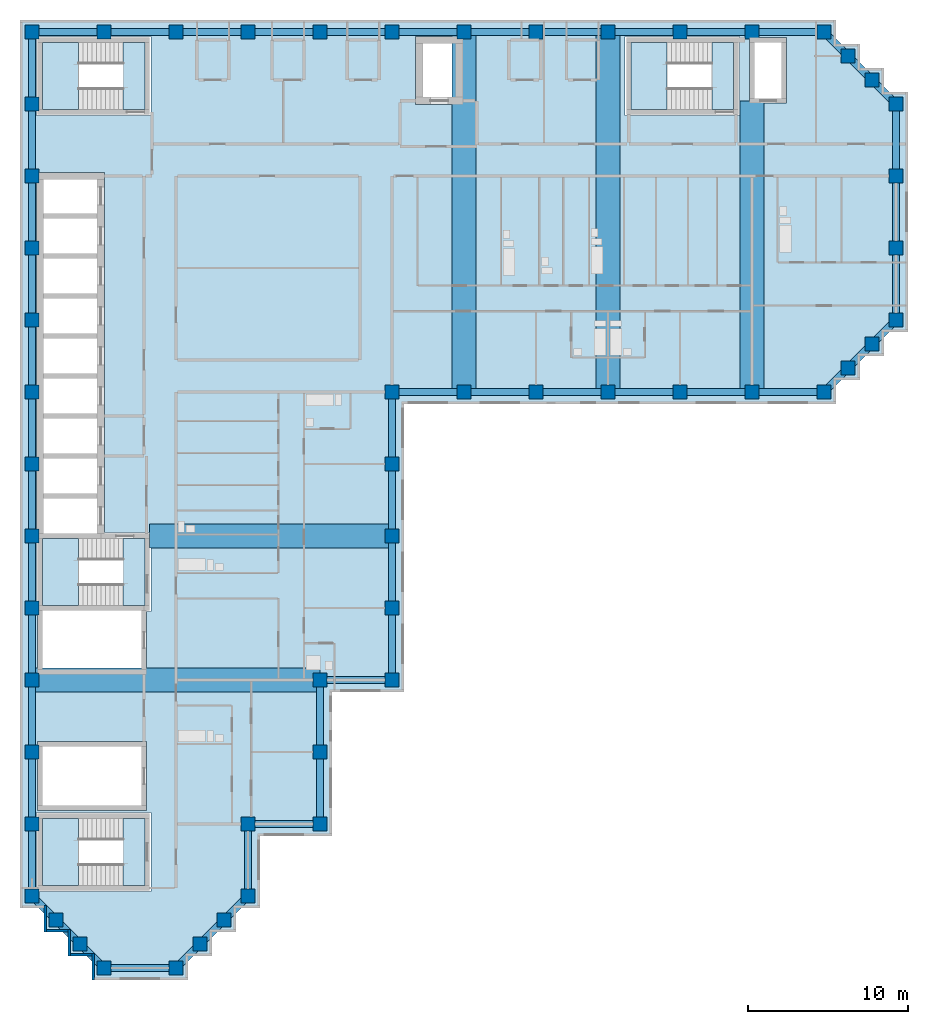
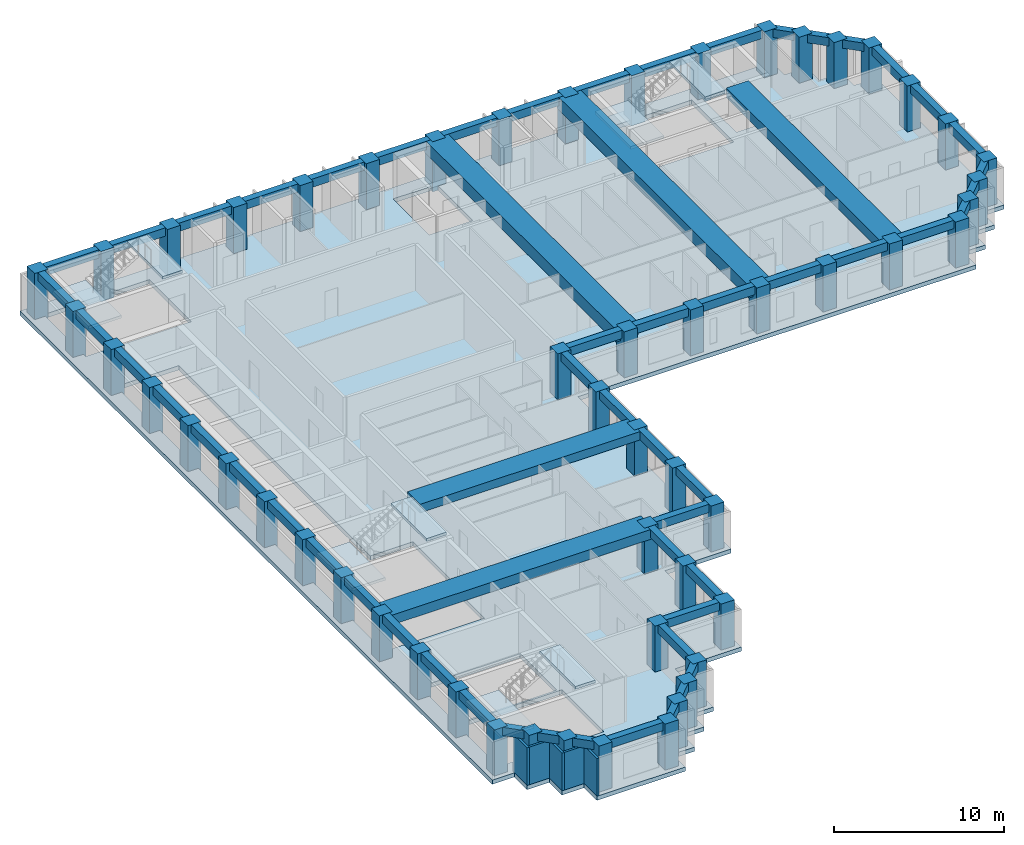
# One storey, part 1 of 10: 59 beams, 54 columns, 9 slabs, 5 walls, 4 elements without a shape of their own.
"""IFC4 building model written with IfcOpenShell, lengths in metres."""

from ifc_helpers import new_model, si_unit, direction, frame, frame_2d, origin, origin_2d, place, context, subcontext, project, spatial, polyline, rectangle, outline, extrude, material, layer, layer_set, material_profile, profile_set, type_object, element, aggregate, save


model = new_model("IFC4")

# Units and contexts
model_context = context("Model", 3, precision=1e-05, world=origin(), true_north=direction((0.0, 1.0)))
body_context = subcontext(model_context, "Body", "Model", "MODEL_VIEW")
ifc_project = project(units=[si_unit("LENGTHUNIT", "METRE"), si_unit("AREAUNIT", "SQUARE_METRE"), si_unit("VOLUMEUNIT", "CUBIC_METRE"), si_unit("PLANEANGLEUNIT", "RADIAN"), si_unit("MASSUNIT", "GRAM", prefix="KILO")], contexts=[model_context])

# Site, building, storey
site_placement = place(None, origin())
site = spatial("IfcSite", under=ifc_project, at=site_placement, CompositionType="ELEMENT")
building_placement = place(site_placement, origin())
building = spatial("IfcBuilding", under=site, at=building_placement, Name="Firuza Court", CompositionType="ELEMENT")
storey_placement = place(building_placement, frame((0.0, 0.0, 204.199951171875)))
storey = spatial("IfcBuildingStorey", under=building, at=storey_placement, Name="L52", CompositionType="ELEMENT", Elevation=204.199951171875)

# Columns
ifc_material_1 = material(Name="Concrete C50/60", Category="concrete")
ifc_material_profile_1 = material_profile(ifc_material_1, rectangle(XDim=0.89990234375, YDim=0.89990234375, at=origin_2d()), Name="RC 900x900")
ifc_profile_set_1 = profile_set([ifc_material_profile_1], Name="Concrete C50/60")
column_type = type_object("IfcColumnType", Name="Tube column RC 900x900 C50/60", PredefinedType="COLUMN", material=ifc_profile_set_1)
for number, where, z_axis, x_axis, name in (
    (1, (4.5, 0.0, -0.300048828125), (0.0, 0.0, 1.0), (1.0, 0.0, 0.0), "Column C-2D L52"),
    (2, (9.0, 0.0, -0.300048828125), (0.0, 0.0, 1.0), (1.0, 0.0, 0.0), "Column C-3D L52"),
    (3, (3.0, 1.5, -0.300048828125), (0.0, 0.0, 1.0), (1.0, 0.0, 0.0), "Column C-SA1 L52"),
    (4, (10.5, 1.5, -0.300048828125), (0.0, 0.0, 1.0), (1.0, 0.0, 0.0), "Column C-SA2 L52"),
    (5, (1.5, 3.0, -0.300048828125), (0.0, 0.0, 1.0), (1.0, 0.0, 0.0), "Column C-SA3 L52"),
    (6, (12.0, 3.0, -0.300048828125), (0.0, 0.0, 1.0), (1.0, 0.0, 0.0), "Column C-SA4 L52"),
    (7, (0.0, 4.5, -0.300048828125), (0.0, 0.0, 1.0), (1.0, 0.0, 0.0), "Column C-1E L52"),
    (8, (13.5, 4.5, -0.300048828125), (0.0, 0.0, 1.0), (1.0, 0.0, 0.0), "Column C-4E L52"),
    (9, (0.0, 9.0, -0.300048828125), (0.0, 0.0, 1.0), (1.0, 0.0, 0.0), "Column C-1F L52"),
    (10, (13.5, 9.0, -0.300048828125), (0.0, 0.0, 1.0), (1.0, 0.0, 0.0), "Column C-4F L52"),
    (11, (18.0, 9.0, -0.300048828125), (0.0, 0.0, 1.0), (1.0, 0.0, 0.0), "Column C-5F L52"),
    (12, (0.0, 13.5, -0.300048828125), (0.0, 0.0, 1.0), (1.0, 0.0, 0.0), "Column C-1G L52"),
    (13, (18.0, 13.5, -0.300048828125), (0.0, 0.0, 1.0), (1.0, 0.0, 0.0), "Column C-5G L52"),
    (14, (0.0, 18.0, -0.300048828125), (0.0, 0.0, 1.0), (1.0, 0.0, 0.0), "Column C-1H L52"),
    (15, (18.0, 18.0, -0.300048828125), (0.0, 0.0, 1.0), (1.0, 0.0, 0.0), "Column C-5H L52"),
    (16, (22.5, 18.0, -0.300048828125), (0.0, 0.0, 1.0), (1.0, 0.0, 0.0), "Column C-6H L52"),
    (17, (0.0, 22.5, -0.300048828125), (0.0, 0.0, 1.0), (1.0, 0.0, 0.0), "Column C-1J L52"),
    (18, (22.5, 22.5, -0.300048828125), (0.0, 0.0, 1.0), (1.0, 0.0, 0.0), "Column C-6J L52"),
    (19, (0.0, 27.0, -0.300048828125), (0.0, 0.0, 1.0), (1.0, 0.0, 0.0), "Column C-1K L52"),
    (20, (22.5, 27.0, -0.300048828125), (0.0, 0.0, 1.0), (1.0, 0.0, 0.0), "Column C-6K L52"),
    (21, (0.0, 31.5, -0.300048828125), (0.0, 0.0, 1.0), (1.0, 0.0, 0.0), "Column C-1L L52"),
    (22, (22.5, 31.5, -0.300048828125), (0.0, 0.0, 1.0), (1.0, 0.0, 0.0), "Column C-6L L52"),
    (23, (0.0, 36.0, -0.300048828125), (0.0, 0.0, 1.0), (1.0, 0.0, 0.0), "Column C-1M L52"),
    (24, (22.5, 36.0, -0.300048828125), (0.0, 0.0, 1.0), (1.0, 0.0, 0.0), "Column C-6M L52"),
    (25, (27.0, 36.0, -0.300048828125), (0.0, 0.0, 1.0), (1.0, 0.0, 0.0), "Column C-7M L52"),
    (26, (31.5, 36.0, -0.300048828125), (0.0, 0.0, 1.0), (1.0, 0.0, 0.0), "Column C-8M L52"),
    (27, (36.0, 36.0, -0.300048828125), (0.0, 0.0, 1.0), (1.0, 0.0, 0.0), "Column C-9M L52"),
    (28, (40.5, 36.0, -0.300048828125), (0.0, 0.0, 1.0), (1.0, 0.0, 0.0), "Column C-10M L52"),
    (29, (45.0, 36.0, -0.300048828125), (0.0, 0.0, 1.0), (1.0, 0.0, 0.0), "Column C-11M L52"),
    (30, (49.5, 36.0, -0.300048828125), (0.0, 0.0, 1.0), (1.0, 0.0, 0.0), "Column C-12M L52"),
    (31, (51.0, 37.5, -0.300048828125), (0.0, 0.0, 1.0), (1.0, 0.0, 0.0), "Column C-SA5 L52"),
    (32, (52.5, 39.0, -0.300048828125), (0.0, 0.0, 1.0), (1.0, 0.0, 0.0), "Column C-SA6 L52"),
    (33, (0.0, 40.5, -0.300048828125), (0.0, 0.0, 1.0), (1.0, 0.0, 0.0), "Column C-1N L52"),
    (34, (54.0, 40.5, -0.300048828125), (0.0, 0.0, 1.0), (1.0, 0.0, 0.0), "Column C-13N L52"),
    (35, (0.0, 45.0, -0.300048828125), (0.0, 0.0, 1.0), (1.0, 0.0, 0.0), "Column C-1P L52"),
    (36, (54.0, 45.0, -0.300048828125), (0.0, 0.0, 1.0), (1.0, 0.0, 0.0), "Column C-13P L52"),
    (37, (0.0, 49.5, -0.300048828125), (0.0, 0.0, 1.0), (1.0, 0.0, 0.0), "Column C-1Q L52"),
    (38, (54.0, 49.5, -0.300048828125), (0.0, 0.0, 1.0), (1.0, 0.0, 0.0), "Column C-13Q L52"),
    (39, (0.0, 54.0, -0.300048828125), (0.0, 0.0, 1.0), (1.0, 0.0, 0.0), "Column C-1R L52"),
    (40, (54.0, 54.0, -0.300048828125), (0.0, 0.0, 1.0), (1.0, 0.0, 0.0), "Column C-13R L52"),
    (41, (52.5, 55.5, -0.300048828125), (0.0, 0.0, 1.0), (1.0, 0.0, 0.0), "Column C-SA7 L52"),
    (42, (51.0, 57.0, -0.300048828125), (0.0, 0.0, 1.0), (1.0, 0.0, 0.0), "Column C-SA8 L52"),
    (43, (0.0, 58.5, -0.300048828125), (0.0, 0.0, 1.0), (1.0, 0.0, 0.0), "Column C-1S L52"),
    (44, (4.5, 58.5, -0.300048828125), (0.0, 0.0, 1.0), (1.0, 0.0, 0.0), "Column C-2S L52"),
    (45, (9.0, 58.5, -0.300048828125), (0.0, 0.0, 1.0), (1.0, 0.0, 0.0), "Column C-3S L52"),
    (46, (13.5, 58.5, -0.300048828125), (0.0, 0.0, 1.0), (1.0, 0.0, 0.0), "Column C-4S L52"),
    (47, (18.0, 58.5, -0.300048828125), (0.0, 0.0, 1.0), (1.0, 0.0, 0.0), "Column C-5S L52"),
    (48, (22.5, 58.5, -0.300048828125), (0.0, 0.0, 1.0), (1.0, 0.0, 0.0), "Column C-6S L52"),
    (49, (27.0, 58.5, -0.300048828125), (0.0, 0.0, 1.0), (1.0, 0.0, 0.0), "Column C-7S L52"),
    (50, (31.5, 58.5, -0.300048828125), (0.0, 0.0, 1.0), (1.0, 0.0, 0.0), "Column C-8S L52"),
    (51, (36.0, 58.5, -0.300048828125), (0.0, 0.0, 1.0), (1.0, 0.0, 0.0), "Column C-9S L52"),
    (52, (40.5, 58.5, -0.300048828125), (0.0, 0.0, 1.0), (1.0, 0.0, 0.0), "Column C-10S L52"),
    (53, (45.0, 58.5, -0.300048828125), (0.0, 0.0, 1.0), (1.0, 0.0, 0.0), "Column C-11S L52"),
    (54, (49.5, 58.5, -0.300048828125), (0.0, 0.0, 1.0), (1.0, 0.0, 0.0), "Column C-12S L52"),
):
    element("IfcColumn", number, at=place(storey_placement, frame(where, z_axis=z_axis, x_axis=x_axis)), inside=storey, type_object=column_type, Name=name, PredefinedType="COLUMN", context=body_context, shape_type="SweptSolid", body=[
        extrude(rectangle(XDim=0.89990234375, YDim=0.89990234375, at=origin_2d()), origin(), (0.0, 0.0, 1.0), 3.60009765625),
    ])

# Beams
ifc_material_2 = material(Name="Concrete C40/50", Category="concrete")
ifc_material_profile_2 = material_profile(ifc_material_2, rectangle(XDim=1.5, YDim=0.60009765625, at=origin_2d()), Name="RC 1500x600")
ifc_profile_set_2 = profile_set([ifc_material_profile_2], Name="Concrete C40/50")
beam_type_1 = type_object("IfcBeamType", Name="Band beam RC 1500x600 C40/50", PredefinedType="BEAM", material=ifc_profile_set_2)
beam_1_placement = place(storey_placement, frame((22.5, 27.0, 3.0), z_axis=(-1.0, 0.0, 0.0), x_axis=(0.0, -1.0, 0.0)))
element("IfcBeam", 55, at=beam_1_placement, inside=storey, type_object=beam_type_1, Name="Band beam FB3 level L53", PredefinedType="BEAM", context=body_context, shape_type="SweptSolid", body=[
    extrude(rectangle(XDim=1.5, YDim=0.60009765625, at=origin_2d()), origin(), (0.0, 0.0, 1.0), 15.14990234375),
])
ifc_material_3 = material(Name="Concrete C40/50", Category="concrete")
ifc_material_profile_3 = material_profile(ifc_material_3, rectangle(XDim=1.5, YDim=0.699951171875, at=origin_2d()), Name="RC 1500x700")
ifc_profile_set_3 = profile_set([ifc_material_profile_3], Name="Concrete C40/50")
beam_type_2 = type_object("IfcBeamType", Name="Band beam RC 1500x700 C40/50", PredefinedType="BEAM", material=ifc_profile_set_3)
beam_2_placement = place(storey_placement, frame((0.0, 18.0, 2.949951171875), z_axis=(1.0, 0.0, 0.0), x_axis=(0.0, 1.0, 0.0)))
element("IfcBeam", 56, at=beam_2_placement, inside=storey, type_object=beam_type_2, Name="Band beam FB1 level L53", PredefinedType="BEAM", context=body_context, shape_type="SweptSolid", body=[
    extrude(rectangle(XDim=1.5, YDim=0.699951171875, at=origin_2d()), origin(), (0.0, 0.0, 1.0), 18.0),
])
beam_3_placement = place(storey_placement, frame((45.0, 36.0, 2.949951171875), z_axis=(0.0, 1.0, 0.0), x_axis=(-1.0, 0.0, 0.0)))
element("IfcBeam", 57, at=beam_3_placement, inside=storey, type_object=beam_type_2, Name="Band beam FB1 level L53", PredefinedType="BEAM", context=body_context, shape_type="SweptSolid", body=[
    extrude(rectangle(XDim=1.5, YDim=0.699951171875, at=origin_2d()), origin(), (0.0, 0.0, 1.0), 18.199951171875),
])
ifc_material_4 = material(Name="Concrete C40/50", Category="concrete")
ifc_material_profile_4 = material_profile(ifc_material_4, rectangle(XDim=1.5, YDim=0.89990234375, at=origin_2d()), Name="RC 1500x900")
ifc_profile_set_4 = profile_set([ifc_material_profile_4], Name="Concrete C40/50")
beam_type_3 = type_object("IfcBeamType", Name="Band beam RC 1500x900 C40/50", PredefinedType="BEAM", material=ifc_profile_set_4)
for number, where, z_axis, x_axis, name in (
    (58, (27.0, 36.0, 2.85009765625), (0.0, 1.0, 0.0), (-1.0, 0.0, 0.0), "Band beam FB2 level L53"),
    (59, (36.0, 36.0, 2.85009765625), (0.0, 1.0, 0.0), (-1.0, 0.0, 0.0), "Band beam FB2 level L53"),
):
    element("IfcBeam", number, at=place(storey_placement, frame(where, z_axis=z_axis, x_axis=x_axis)), inside=storey, type_object=beam_type_3, Name=name, PredefinedType="BEAM", context=body_context, shape_type="SweptSolid", body=[
        extrude(rectangle(XDim=1.5, YDim=0.89990234375, at=origin_2d()), origin(), (0.0, 0.0, 1.0), 22.5),
    ])
ifc_material_5 = material(Name="Concrete C40/50", Category="concrete")
ifc_material_profile_5 = material_profile(ifc_material_5, rectangle(XDim=0.449951171875, YDim=0.60009765625, at=origin_2d()), Name="RC 450x600")
ifc_profile_set_5 = profile_set([ifc_material_profile_5], Name="Concrete C40/50")
beam_type_4 = type_object("IfcBeamType", Name="Spandrel beam RC 450x600 C40/50", PredefinedType="BEAM", material=ifc_profile_set_5)
beam_4_placement = place(storey_placement, frame((0.0, 4.5, 3.0), z_axis=(0.707106781187, -0.707106781187, 0.0), x_axis=(0.707106781187, 0.707106781187, 0.0)))
element("IfcBeam", 60, at=beam_4_placement, inside=storey, type_object=beam_type_4, Name="Spandrel beam SP15 level L53", PredefinedType="BEAM", context=body_context, shape_type="SweptSolid", body=[
    extrude(rectangle(XDim=0.449951171875, YDim=0.60009765625, at=origin_2d()), origin(), (0.0, 0.0, 1.0), 2.121337890625),
])
for number, where, z_axis, x_axis, name in (
    (61, (0.0, 9.0, 3.0), (0.0, -1.0, 0.0), (1.0, 0.0, 0.0), "Spandrel beam SP15 level L53"),
    (62, (0.0, 13.5, 3.0), (0.0, -1.0, 0.0), (1.0, 0.0, 0.0), "Spandrel beam SP15 level L53"),
    (63, (0.0, 18.0, 3.0), (0.0, -1.0, 0.0), (1.0, 0.0, 0.0), "Spandrel beam SP15 level L53"),
    (64, (0.0, 22.5, 3.0), (0.0, -1.0, 0.0), (1.0, 0.0, 0.0), "Spandrel beam SP15 level L53"),
    (65, (0.0, 27.0, 3.0), (0.0, -1.0, 0.0), (1.0, 0.0, 0.0), "Spandrel beam SP15 level L53"),
    (66, (0.0, 31.5, 3.0), (0.0, -1.0, 0.0), (1.0, 0.0, 0.0), "Spandrel beam SP15 level L53"),
    (67, (0.0, 36.0, 3.0), (0.0, -1.0, 0.0), (1.0, 0.0, 0.0), "Spandrel beam SP15 level L53"),
    (68, (0.0, 40.5, 3.0), (0.0, -1.0, 0.0), (1.0, 0.0, 0.0), "Spandrel beam SP15 level L53"),
    (69, (0.0, 45.0, 3.0), (0.0, -1.0, 0.0), (1.0, 0.0, 0.0), "Spandrel beam SP15 level L53"),
    (70, (0.0, 49.5, 3.0), (0.0, -1.0, 0.0), (1.0, 0.0, 0.0), "Spandrel beam SP15 level L53"),
    (71, (0.0, 54.0, 3.0), (0.0, -1.0, 0.0), (1.0, 0.0, 0.0), "Spandrel beam SP15 level L53"),
    (72, (0.0, 58.5, 3.0), (0.0, -1.0, 0.0), (1.0, 0.0, 0.0), "Spandrel beam SP15 level L53"),
):
    element("IfcBeam", number, at=place(storey_placement, frame(where, z_axis=z_axis, x_axis=x_axis)), inside=storey, type_object=beam_type_4, Name=name, PredefinedType="BEAM", context=body_context, shape_type="SweptSolid", body=[
        extrude(rectangle(XDim=0.449951171875, YDim=0.60009765625, at=origin_2d()), origin(), (0.0, 0.0, 1.0), 4.5),
    ])
for number, where, z_axis, x_axis, name in (
    (73, (1.5, 3.0, 3.0), (0.707106781187, -0.707106781187, 0.0), (0.707106781187, 0.707106781187, 0.0), "Spandrel beam SP15 level L53"),
    (74, (3.0, 1.5, 3.0), (0.707106781187, -0.707106781187, 0.0), (0.707106781187, 0.707106781187, 0.0), "Spandrel beam SP15 level L53"),
):
    element("IfcBeam", number, at=place(storey_placement, frame(where, z_axis=z_axis, x_axis=x_axis)), inside=storey, type_object=beam_type_4, Name=name, PredefinedType="BEAM", context=body_context, shape_type="SweptSolid", body=[
        extrude(rectangle(XDim=0.449951171875, YDim=0.60009765625, at=origin_2d()), origin(), (0.0, 0.0, 1.0), 2.121337890625),
    ])
for number, where, z_axis, x_axis, name in (
    (75, (4.5, 0.0, 3.0), (1.0, 0.0, 0.0), (0.0, 1.0, 0.0), "Spandrel beam SP15 level L53"),
    (76, (4.5, 58.5, 3.0), (-1.0, 0.0, 0.0), (0.0, -1.0, 0.0), "Spandrel beam SP15 level L53"),
):
    element("IfcBeam", number, at=place(storey_placement, frame(where, z_axis=z_axis, x_axis=x_axis)), inside=storey, type_object=beam_type_4, Name=name, PredefinedType="BEAM", context=body_context, shape_type="SweptSolid", body=[
        extrude(rectangle(XDim=0.449951171875, YDim=0.60009765625, at=origin_2d()), origin(), (0.0, 0.0, 1.0), 4.5),
    ])
beam_5_placement = place(storey_placement, frame((9.0, 0.0, 3.0), z_axis=(0.707106781187, 0.707106781187, 0.0), x_axis=(-0.707106781187, 0.707106781187, 0.0)))
element("IfcBeam", 77, at=beam_5_placement, inside=storey, type_object=beam_type_4, Name="Spandrel beam SP15 level L53", PredefinedType="BEAM", context=body_context, shape_type="SweptSolid", body=[
    extrude(rectangle(XDim=0.449951171875, YDim=0.60009765625, at=origin_2d()), origin(), (0.0, 0.0, 1.0), 2.121337890625),
])
beam_6_placement = place(storey_placement, frame((9.0, 58.5, 3.0), z_axis=(-1.0, 0.0, 0.0), x_axis=(0.0, -1.0, 0.0)))
element("IfcBeam", 78, at=beam_6_placement, inside=storey, type_object=beam_type_4, Name="Spandrel beam SP15 level L53", PredefinedType="BEAM", context=body_context, shape_type="SweptSolid", body=[
    extrude(rectangle(XDim=0.449951171875, YDim=0.60009765625, at=origin_2d()), origin(), (0.0, 0.0, 1.0), 4.5),
])
for number, where, z_axis, x_axis, name in (
    (79, (10.5, 1.5, 3.0), (0.707106781187, 0.707106781187, 0.0), (-0.707106781187, 0.707106781187, 0.0), "Spandrel beam SP15 level L53"),
    (80, (12.0, 3.0, 3.0), (0.707106781187, 0.707106781187, 0.0), (-0.707106781187, 0.707106781187, 0.0), "Spandrel beam SP15 level L53"),
):
    element("IfcBeam", number, at=place(storey_placement, frame(where, z_axis=z_axis, x_axis=x_axis)), inside=storey, type_object=beam_type_4, Name=name, PredefinedType="BEAM", context=body_context, shape_type="SweptSolid", body=[
        extrude(rectangle(XDim=0.449951171875, YDim=0.60009765625, at=origin_2d()), origin(), (0.0, 0.0, 1.0), 2.121337890625),
    ])
for number, where, z_axis, x_axis, name in (
    (81, (13.5, 4.5, 3.0), (0.0, 1.0, 0.0), (-1.0, 0.0, 0.0), "Spandrel beam SP15 level L53"),
    (82, (13.5, 9.0, 3.0), (1.0, 0.0, 0.0), (0.0, 1.0, 0.0), "Spandrel beam SP15 level L53"),
    (83, (13.5, 58.5, 3.0), (-1.0, 0.0, 0.0), (0.0, -1.0, 0.0), "Spandrel beam SP15 level L53"),
    (84, (18.0, 9.0, 3.0), (0.0, 1.0, 0.0), (-1.0, 0.0, 0.0), "Spandrel beam SP15 level L53"),
    (85, (18.0, 13.5, 3.0), (0.0, 1.0, 0.0), (-1.0, 0.0, 0.0), "Spandrel beam SP15 level L53"),
    (86, (18.0, 18.0, 3.0), (1.0, 0.0, 0.0), (0.0, 1.0, 0.0), "Spandrel beam SP15 level L53"),
    (87, (18.0, 58.5, 3.0), (-1.0, 0.0, 0.0), (0.0, -1.0, 0.0), "Spandrel beam SP15 level L53"),
    (88, (22.5, 18.0, 3.0), (0.0, 1.0, 0.0), (-1.0, 0.0, 0.0), "Spandrel beam SP15 level L53"),
    (89, (22.5, 22.5, 3.0), (0.0, 1.0, 0.0), (-1.0, 0.0, 0.0), "Spandrel beam SP15 level L53"),
    (90, (22.5, 27.0, 3.0), (0.0, 1.0, 0.0), (-1.0, 0.0, 0.0), "Spandrel beam SP15 level L53"),
    (91, (22.5, 31.5, 3.0), (0.0, 1.0, 0.0), (-1.0, 0.0, 0.0), "Spandrel beam SP15 level L53"),
    (92, (22.5, 36.0, 3.0), (1.0, 0.0, 0.0), (0.0, 1.0, 0.0), "Spandrel beam SP15 level L53"),
    (93, (22.5, 58.5, 3.0), (-1.0, 0.0, 0.0), (0.0, -1.0, 0.0), "Spandrel beam SP15 level L53"),
    (94, (27.0, 36.0, 3.0), (1.0, 0.0, 0.0), (0.0, 1.0, 0.0), "Spandrel beam SP15 level L53"),
    (95, (27.0, 58.5, 3.0), (-1.0, 0.0, 0.0), (0.0, -1.0, 0.0), "Spandrel beam SP15 level L53"),
    (96, (31.5, 36.0, 3.0), (1.0, 0.0, 0.0), (0.0, 1.0, 0.0), "Spandrel beam SP15 level L53"),
    (97, (31.5, 58.5, 3.0), (-1.0, 0.0, 0.0), (0.0, -1.0, 0.0), "Spandrel beam SP15 level L53"),
    (98, (36.0, 36.0, 3.0), (1.0, 0.0, 0.0), (0.0, 1.0, 0.0), "Spandrel beam SP15 level L53"),
    (99, (36.0, 58.5, 3.0), (-1.0, 0.0, 0.0), (0.0, -1.0, 0.0), "Spandrel beam SP15 level L53"),
    (100, (40.5, 36.0, 3.0), (1.0, 0.0, 0.0), (0.0, 1.0, 0.0), "Spandrel beam SP15 level L53"),
    (101, (40.5, 58.5, 3.0), (-1.0, 0.0, 0.0), (0.0, -1.0, 0.0), "Spandrel beam SP15 level L53"),
    (102, (45.0, 36.0, 3.0), (1.0, 0.0, 0.0), (0.0, 1.0, 0.0), "Spandrel beam SP15 level L53"),
    (103, (45.0, 58.5, 3.0), (-1.0, 0.0, 0.0), (0.0, -1.0, 0.0), "Spandrel beam SP15 level L53"),
):
    element("IfcBeam", number, at=place(storey_placement, frame(where, z_axis=z_axis, x_axis=x_axis)), inside=storey, type_object=beam_type_4, Name=name, PredefinedType="BEAM", context=body_context, shape_type="SweptSolid", body=[
        extrude(rectangle(XDim=0.449951171875, YDim=0.60009765625, at=origin_2d()), origin(), (0.0, 0.0, 1.0), 4.5),
    ])
beam_7_placement = place(storey_placement, frame((49.5, 36.0, 3.0), z_axis=(0.707106781187, 0.707106781187, 0.0), x_axis=(-0.707106781187, 0.707106781187, 0.0)))
element("IfcBeam", 104, at=beam_7_placement, inside=storey, type_object=beam_type_4, Name="Spandrel beam SP15 level L53", PredefinedType="BEAM", context=body_context, shape_type="SweptSolid", body=[
    extrude(rectangle(XDim=0.449951171875, YDim=0.60009765625, at=origin_2d()), origin(), (0.0, 0.0, 1.0), 2.121337890625),
])
beam_8_placement = place(storey_placement, frame((49.5, 58.5, 3.0), z_axis=(-1.0, 0.0, 0.0), x_axis=(0.0, -1.0, 0.0)))
element("IfcBeam", 105, at=beam_8_placement, inside=storey, type_object=beam_type_4, Name="Spandrel beam SP15 level L53", PredefinedType="BEAM", context=body_context, shape_type="SweptSolid", body=[
    extrude(rectangle(XDim=0.449951171875, YDim=0.60009765625, at=origin_2d()), origin(), (0.0, 0.0, 1.0), 4.5),
])
for number, where, z_axis, x_axis, name in (
    (106, (51.0, 37.5, 3.0), (0.707106781187, 0.707106781187, 0.0), (-0.707106781187, 0.707106781187, 0.0), "Spandrel beam SP15 level L53"),
    (107, (51.0, 57.0, 3.0), (-0.707106781187, 0.707106781187, 0.0), (-0.707106781187, -0.707106781187, 0.0), "Spandrel beam SP15 level L53"),
    (108, (52.5, 39.0, 3.0), (0.707106781187, 0.707106781187, 0.0), (-0.707106781187, 0.707106781187, 0.0), "Spandrel beam SP15 level L53"),
    (109, (52.5, 55.5, 3.0), (-0.707106781187, 0.707106781187, 0.0), (-0.707106781187, -0.707106781187, 0.0), "Spandrel beam SP15 level L53"),
):
    element("IfcBeam", number, at=place(storey_placement, frame(where, z_axis=z_axis, x_axis=x_axis)), inside=storey, type_object=beam_type_4, Name=name, PredefinedType="BEAM", context=body_context, shape_type="SweptSolid", body=[
        extrude(rectangle(XDim=0.449951171875, YDim=0.60009765625, at=origin_2d()), origin(), (0.0, 0.0, 1.0), 2.121337890625),
    ])
for number, where, z_axis, x_axis, name in (
    (110, (54.0, 40.5, 3.0), (0.0, 1.0, 0.0), (-1.0, 0.0, 0.0), "Spandrel beam SP15 level L53"),
    (111, (54.0, 45.0, 3.0), (0.0, 1.0, 0.0), (-1.0, 0.0, 0.0), "Spandrel beam SP15 level L53"),
    (112, (54.0, 49.5, 3.0), (0.0, 1.0, 0.0), (-1.0, 0.0, 0.0), "Spandrel beam SP15 level L53"),
):
    element("IfcBeam", number, at=place(storey_placement, frame(where, z_axis=z_axis, x_axis=x_axis)), inside=storey, type_object=beam_type_4, Name=name, PredefinedType="BEAM", context=body_context, shape_type="SweptSolid", body=[
        extrude(rectangle(XDim=0.449951171875, YDim=0.60009765625, at=origin_2d()), origin(), (0.0, 0.0, 1.0), 4.5),
    ])
beam_9_placement = place(storey_placement, frame((54.0, 54.0, 3.0), z_axis=(-0.707106781187, 0.707106781187, 0.0), x_axis=(-0.707106781187, -0.707106781187, 0.0)))
element("IfcBeam", 113, at=beam_9_placement, inside=storey, type_object=beam_type_4, Name="Spandrel beam SP15 level L53", PredefinedType="BEAM", context=body_context, shape_type="SweptSolid", body=[
    extrude(rectangle(XDim=0.449951171875, YDim=0.60009765625, at=origin_2d()), origin(), (0.0, 0.0, 1.0), 2.121337890625),
])

# Slab
ifc_material_6 = material(Name="Concrete C40/50", Category="concrete")
ifc_layer_1 = layer(ifc_material_6, 0.300048828125)
ifc_layer_set_1 = layer_set([ifc_layer_1], Name="Concrete C40/50")
slab_type_1 = type_object("IfcSlabType", Name="Floor slab 300 C40/50", PredefinedType="FLOOR", material=ifc_layer_set_1)
slab_1_placement = place(storey_placement, frame((0.0, 0.0, -0.300048828125)))
element("IfcSlab", 114, at=slab_1_placement, inside=storey, type_object=slab_type_1, Name="Floor slab L52", PredefinedType="FLOOR", context=body_context, shape_type="SweptSolid", body=[
    extrude(outline(polyline([(-0.75, 59.25), (50.25, 59.25), (50.25, 57.75), (51.75, 57.75), (51.75, 56.25), (53.25, 56.25), (53.25, 54.75), (54.75, 54.75), (54.75, 39.75), (53.25, 39.75), (53.25, 38.25), (51.75, 38.25), (51.75, 36.75), (50.25, 36.75), (50.25, 35.25), (23.25, 35.25), (23.25, 17.25), (18.75, 17.25), (18.75, 8.25), (14.25, 8.25), (14.25, 3.75), (12.75, 3.75), (12.75, 2.25), (11.25, 2.25), (11.25, 0.75), (9.75, 0.75), (9.75, -0.75), (3.75, -0.75), (3.75, 0.75), (2.25, 0.75), (2.25, 2.25), (0.75, 2.25), (0.75, 3.75), (-0.75, 3.75), (-0.75, 59.25)]), holes=[polyline([(0.27490234375, 29.72509765625), (0.27490234375, 29.27490234375), (0.27490234375, 27.22509765625), (0.27490234375, 26.77490234375), (0.27490234375, 22.27490234375), (0.35009765625, 22.27490234375), (0.35009765625, 18.35009765625), (7.14990234375, 18.35009765625), (7.14990234375, 22.27490234375), (7.425048828125, 22.27490234375), (7.425048828125, 27.22509765625), (4.52490234375, 27.22509765625), (4.52490234375, 29.27490234375), (4.52490234375, 29.72509765625), (4.52490234375, 31.77490234375), (4.52490234375, 32.22509765625), (4.52490234375, 34.27490234375), (4.52490234375, 34.72509765625), (4.52490234375, 36.77490234375), (4.52490234375, 37.22509765625), (4.52490234375, 39.27490234375), (4.52490234375, 39.72509765625), (4.52490234375, 41.77490234375), (4.52490234375, 42.22509765625), (4.52490234375, 44.27490234375), (4.52490234375, 44.72509765625), (4.52490234375, 46.77490234375), (4.52490234375, 47.22509765625), (4.52490234375, 49.72509765625), (0.27490234375, 49.72509765625), (0.27490234375, 47.22509765625), (0.27490234375, 46.77490234375), (0.27490234375, 44.72509765625), (0.27490234375, 44.27490234375), (0.27490234375, 42.22509765625), (0.27490234375, 41.77490234375), (0.27490234375, 39.72509765625), (0.27490234375, 39.27490234375), (0.27490234375, 37.22509765625), (0.27490234375, 36.77490234375), (0.27490234375, 34.72509765625), (0.27490234375, 34.27490234375), (0.27490234375, 32.22509765625), (0.27490234375, 31.77490234375), (0.27490234375, 29.72509765625)]), polyline([(7.425048828125, 9.72509765625), (0.27490234375, 9.72509765625), (0.27490234375, 4.77490234375), (7.425048828125, 4.77490234375), (7.425048828125, 9.72509765625)]), polyline([(7.14990234375, 14.14990234375), (0.35009765625, 14.14990234375), (0.35009765625, 9.85009765625), (7.14990234375, 9.85009765625), (7.14990234375, 14.14990234375)]), polyline([(7.425048828125, 58.22509765625), (0.27490234375, 58.22509765625), (0.27490234375, 53.27490234375), (7.425048828125, 53.27490234375), (7.425048828125, 58.22509765625)]), polyline([(44.22509765625, 58.22509765625), (37.074951171875, 58.22509765625), (37.074951171875, 53.27490234375), (44.22509765625, 53.27490234375), (44.22509765625, 58.22509765625)]), polyline([(26.925048828125, 53.97509765625), (26.925048828125, 58.22509765625), (23.97509765625, 58.22509765625), (23.97509765625, 53.97509765625), (26.925048828125, 53.97509765625)]), polyline([(47.14990234375, 54.050048828125), (47.14990234375, 58.14990234375), (44.85009765625, 58.14990234375), (44.85009765625, 54.050048828125), (47.14990234375, 54.050048828125)])]), origin(), (0.0, 0.0, 1.0), 0.300048828125),
])

# Stair, slabs
ifc_material_7 = material(Name="Concrete C40/50 precast", Category="concrete")
stair_type = type_object("IfcStairType", Name="Stair 1350 x 3600 2 flights", PredefinedType="HALF_TURN_STAIR", material=ifc_material_7)
stair_1_placement = place(storey_placement, origin())
stair_1 = element("IfcStair", 115, at=stair_1_placement, inside=storey, type_object=stair_type, Name="Stair 1 L52", PredefinedType="HALF_TURN_STAIR")
ifc_material_8 = material(Name="Concrete C40/50 precast", Category="concrete")
ifc_layer_2 = layer(ifc_material_8, 0.199951171875)
ifc_layer_set_2 = layer_set([ifc_layer_2], Name="Concrete C40/50 precast")
slab_type_2 = type_object("IfcSlabType", Name="Stair landing 200", PredefinedType="LANDING", material=ifc_layer_set_2)
slab_2_placement = place(storey_placement, frame((0.0, 0.0, 1.60009765625)))
slab_2 = element("IfcSlab", 116, at=slab_2_placement, type_object=slab_type_2, Name="S1 landing 1", PredefinedType="LANDING", context=body_context, shape_type="SweptSolid", body=[
    extrude(outline(polyline([(39.699951171875, 53.64990234375), (39.699951171875, 57.85009765625), (37.449951171875, 57.85009765625), (37.449951171875, 53.64990234375), (39.699951171875, 53.64990234375)])), origin(), (0.0, 0.0, 1.0), 0.199951171875),
])
slab_3_placement = place(storey_placement, frame((0.0, 0.0, 3.400146484375)))
slab_3 = element("IfcSlab", 117, at=slab_3_placement, type_object=slab_type_2, Name="S1 landing 2", PredefinedType="LANDING", context=body_context, shape_type="SweptSolid", body=[
    extrude(outline(polyline([(43.85009765625, 53.64990234375), (43.85009765625, 57.85009765625), (42.5, 57.85009765625), (42.5, 53.64990234375), (43.85009765625, 53.64990234375)])), origin(), (0.0, 0.0, 1.0), 0.199951171875),
])
aggregate(stair_1, [slab_2, slab_3])

stair_2_placement = place(storey_placement, origin())
stair_2 = element("IfcStair", 118, at=stair_2_placement, inside=storey, type_object=stair_type, Name="Stair 2 L52", PredefinedType="HALF_TURN_STAIR")
slab_4_placement = place(storey_placement, frame((0.0, 0.0, 1.60009765625)))
slab_4 = element("IfcSlab", 119, at=slab_4_placement, type_object=slab_type_2, Name="S2 landing 1", PredefinedType="LANDING", context=body_context, shape_type="SweptSolid", body=[
    extrude(outline(polyline([(2.89990234375, 22.64990234375), (2.89990234375, 26.85009765625), (0.64990234375, 26.85009765625), (0.64990234375, 22.64990234375), (2.89990234375, 22.64990234375)])), origin(), (0.0, 0.0, 1.0), 0.199951171875),
])
slab_5_placement = place(storey_placement, frame((0.0, 0.0, 3.400146484375)))
slab_5 = element("IfcSlab", 120, at=slab_5_placement, type_object=slab_type_2, Name="S2 landing 2", PredefinedType="LANDING", context=body_context, shape_type="SweptSolid", body=[
    extrude(outline(polyline([(7.050048828125, 22.64990234375), (7.050048828125, 26.85009765625), (5.699951171875, 26.85009765625), (5.699951171875, 22.64990234375), (7.050048828125, 22.64990234375)])), origin(), (0.0, 0.0, 1.0), 0.199951171875),
])
aggregate(stair_2, [slab_4, slab_5])

stair_3_placement = place(storey_placement, origin())
stair_3 = element("IfcStair", 121, at=stair_3_placement, inside=storey, type_object=stair_type, Name="Stair 3 L52", PredefinedType="HALF_TURN_STAIR")
slab_6_placement = place(storey_placement, frame((0.0, 0.0, 1.60009765625)))
slab_6 = element("IfcSlab", 122, at=slab_6_placement, type_object=slab_type_2, Name="S3 landing 1", PredefinedType="LANDING", context=body_context, shape_type="SweptSolid", body=[
    extrude(outline(polyline([(2.89990234375, 53.64990234375), (2.89990234375, 57.85009765625), (0.64990234375, 57.85009765625), (0.64990234375, 53.64990234375), (2.89990234375, 53.64990234375)])), origin(), (0.0, 0.0, 1.0), 0.199951171875),
])
slab_7_placement = place(storey_placement, frame((0.0, 0.0, 3.400146484375)))
slab_7 = element("IfcSlab", 123, at=slab_7_placement, type_object=slab_type_2, Name="S3 landing 2", PredefinedType="LANDING", context=body_context, shape_type="SweptSolid", body=[
    extrude(outline(polyline([(7.050048828125, 53.64990234375), (7.050048828125, 57.85009765625), (5.699951171875, 57.85009765625), (5.699951171875, 53.64990234375), (7.050048828125, 53.64990234375)])), origin(), (0.0, 0.0, 1.0), 0.199951171875),
])
aggregate(stair_3, [slab_6, slab_7])

stair_4_placement = place(storey_placement, origin())
stair_4 = element("IfcStair", 124, at=stair_4_placement, inside=storey, type_object=stair_type, Name="Stair 5 L52", PredefinedType="HALF_TURN_STAIR")
slab_8_placement = place(storey_placement, frame((0.0, 0.0, 1.60009765625)))
slab_8 = element("IfcSlab", 125, at=slab_8_placement, type_object=slab_type_2, Name="S5 landing 1", PredefinedType="LANDING", context=body_context, shape_type="SweptSolid", body=[
    extrude(outline(polyline([(2.89990234375, 5.14990234375), (2.89990234375, 9.35009765625), (0.64990234375, 9.35009765625), (0.64990234375, 5.14990234375), (2.89990234375, 5.14990234375)])), origin(), (0.0, 0.0, 1.0), 0.199951171875),
])
slab_9_placement = place(storey_placement, frame((0.0, 0.0, 3.400146484375)))
slab_9 = element("IfcSlab", 126, at=slab_9_placement, type_object=slab_type_2, Name="S5 landing 2", PredefinedType="LANDING", context=body_context, shape_type="SweptSolid", body=[
    extrude(outline(polyline([(7.050048828125, 5.14990234375), (7.050048828125, 9.35009765625), (5.699951171875, 9.35009765625), (5.699951171875, 5.14990234375), (7.050048828125, 5.14990234375)])), origin(), (0.0, 0.0, 1.0), 0.199951171875),
])
aggregate(stair_4, [slab_8, slab_9])

# Walls
ifc_material_9 = material(Name="Ceramic tile", Category="ceramic")
ifc_layer_3 = layer(ifc_material_9, 0.02001953125)
ifc_material_10 = material(Name="Mineral wool insulation", Category="insulation")
ifc_layer_4 = layer(ifc_material_10, 0.050048828125)
ifc_layer_5 = layer(ifc_material_8, 0.080078125)
ifc_layer_set_3 = layer_set([ifc_layer_3, ifc_layer_4, ifc_layer_5], Name="Concrete C40/50 precast")
wall_type = type_object("IfcWallType", Name="Precast cladding wall with turquoise TILE PANEL face 150", PredefinedType="STANDARD", material=ifc_layer_set_3)
wall_1_placement = place(storey_placement, frame((0.824951171875, 3.89990234375, 0.0), z_axis=(0.0, 0.0, 1.0), x_axis=(0.0, -1.0, 0.0)))
element("IfcWall", 127, at=wall_1_placement, inside=storey, type_object=wall_type, Name="Facade wall L52 W", PredefinedType="STANDARD", context=body_context, shape_type="SweptSolid", body=[
    extrude(rectangle(XDim=1.64990234375, YDim=0.14990234375, at=frame_2d((0.824951171875, 0.0))), origin(), (0.0, 0.0, 1.0), 2.699951171875),
])
wall_2_placement = place(storey_placement, frame((0.89990234375, 2.324951171875, 0.0), z_axis=(0.0, 0.0, 1.0), x_axis=(1.0, 0.0, 0.0)))
element("IfcWall", 128, at=wall_2_placement, inside=storey, type_object=wall_type, Name="Facade wall L52 S", PredefinedType="STANDARD", context=body_context, shape_type="SweptSolid", body=[
    extrude(rectangle(XDim=1.35009765625, YDim=0.14990234375, at=frame_2d((0.675048828125, 0.0))), origin(), (0.0, 0.0, 1.0), 2.699951171875),
])
wall_3_placement = place(storey_placement, frame((2.324951171875, 2.39990234375, 0.0), z_axis=(0.0, 0.0, 1.0), x_axis=(0.0, -1.0, 0.0)))
element("IfcWall", 129, at=wall_3_placement, inside=storey, type_object=wall_type, Name="Facade wall L52 W", PredefinedType="STANDARD", context=body_context, shape_type="SweptSolid", body=[
    extrude(rectangle(XDim=1.64990234375, YDim=0.14990234375, at=frame_2d((0.824951171875, 0.0))), origin(), (0.0, 0.0, 1.0), 2.699951171875),
])
wall_4_placement = place(storey_placement, frame((2.39990234375, 0.824951171875, 0.0), z_axis=(0.0, 0.0, 1.0), x_axis=(1.0, 0.0, 0.0)))
element("IfcWall", 130, at=wall_4_placement, inside=storey, type_object=wall_type, Name="Facade wall L52 S", PredefinedType="STANDARD", context=body_context, shape_type="SweptSolid", body=[
    extrude(rectangle(XDim=1.35009765625, YDim=0.14990234375, at=frame_2d((0.675048828125, 0.0))), origin(), (0.0, 0.0, 1.0), 2.699951171875),
])
wall_5_placement = place(storey_placement, frame((3.824951171875, 0.89990234375, 0.0), z_axis=(0.0, 0.0, 1.0), x_axis=(0.0, -1.0, 0.0)))
element("IfcWall", 131, at=wall_5_placement, inside=storey, type_object=wall_type, Name="Facade wall L52 W", PredefinedType="STANDARD", context=body_context, shape_type="SweptSolid", body=[
    extrude(rectangle(XDim=1.64990234375, YDim=0.14990234375, at=frame_2d((0.824951171875, 0.0))), origin(), (0.0, 0.0, 1.0), 2.699951171875),
])

save(model, "model.ifc")
